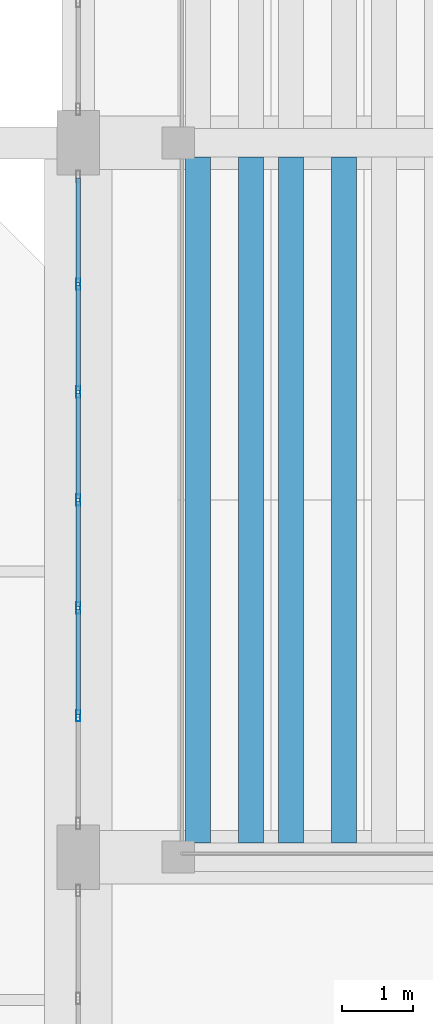
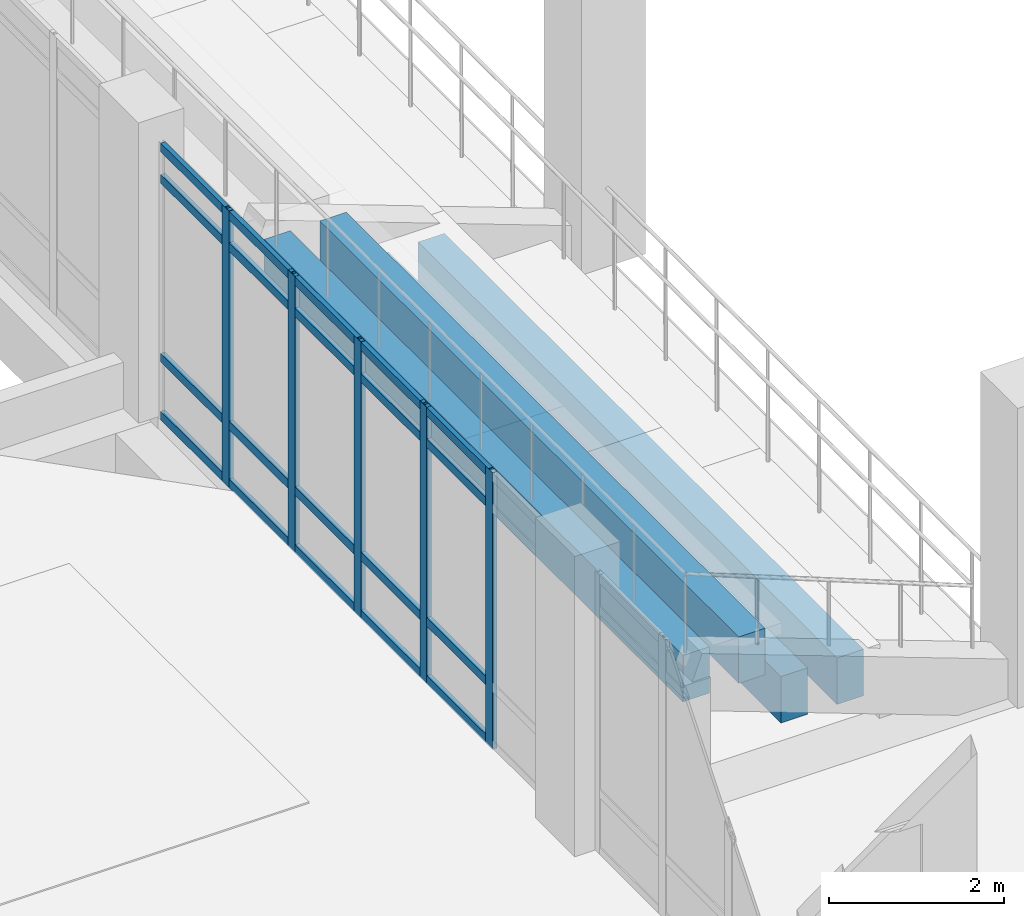
# One storey, part 62 of 161: 25 members, 4 beams, 1 element without a shape of its own.
"""IFC4 building model written with IfcOpenShell, lengths in metres."""

from ifc_helpers import new_model, si_unit, direction, frame, origin, origin_2d, place, context, subcontext, project, spatial, rectangle, hollow_rectangle, extrude, material, layer, layer_set, material_profile, profile_set, type_object, element, aggregate, save


model = new_model("IFC4")

# Units and contexts
model_context = context("Model", 3, precision=1e-05, world=origin(), true_north=direction((0.0, 1.0)))
body_context = subcontext(model_context, "Body", "Model", "MODEL_VIEW")
ifc_project = project(units=[si_unit("LENGTHUNIT", "METRE"), si_unit("AREAUNIT", "SQUARE_METRE"), si_unit("VOLUMEUNIT", "CUBIC_METRE"), si_unit("PLANEANGLEUNIT", "RADIAN"), si_unit("MASSUNIT", "GRAM", prefix="KILO")], contexts=[model_context])

# Site, building, storey
site_placement = place(None, origin())
site = spatial("IfcSite", under=ifc_project, at=site_placement, CompositionType="ELEMENT")
building_placement = place(site_placement, origin())
building = spatial("IfcBuilding", under=site, at=building_placement, Name="Mersad Railyard Sports Hall", CompositionType="ELEMENT")
storey_placement = place(building_placement, frame((0.0, 0.0, 4.800048828125)))
storey = spatial("IfcBuildingStorey", under=building, at=storey_placement, Name="L01", CompositionType="ELEMENT", Elevation=4.800048828125)

# Curtain wall, members
ifc_material_1 = material(Name="Aluminium 6063-T6", Category="aluminium")
ifc_layer = layer(ifc_material_1, 0.159912109375)
ifc_layer_set = layer_set([ifc_layer], Name="Aluminium 6063-T6")
curtain_wall_type = type_object("IfcCurtainWallType", Name="ARC-CW-CW14", PredefinedType="USERDEFINED", material=ifc_layer_set)
curtain_wall_placement = place(storey_placement, origin())
curtain_wall = element("IfcCurtainWall", 1, at=curtain_wall_placement, inside=storey, type_object=curtain_wall_type, Name="Curtain wall CW14-0070", ObjectType="CURTAIN WALL", PredefinedType="USERDEFINED")
ifc_material_profile_1 = material_profile(ifc_material_1, hollow_rectangle(XDim=0.06005859375, YDim=0.159912109375, WallThickness=0.00390625, at=origin_2d()), Name="AL MULLION 60x160x4")
ifc_profile_set_1 = profile_set([ifc_material_profile_1], Name="Aluminium 6063-T6")
member_type_1 = type_object("IfcMemberType", Name="ARC-CW-MUL01", PredefinedType="MULLION", material=ifc_profile_set_1)
member_1_placement = place(storey_placement, frame((131.0, 35.47998046875, -0.02001953125), z_axis=(0.0, 0.0, 1.0), x_axis=(1.0, 0.0, 0.0)))
member_1 = element("IfcMember", 2, at=member_1_placement, type_object=member_type_1, Name="CW14 Mullion 2", PredefinedType="MULLION", context=body_context, shape_type="SweptSolid", body=[
    extrude(hollow_rectangle(XDim=0.06005859375, YDim=0.159912109375, WallThickness=0.00390625, at=origin_2d()), origin(), (0.0, 0.0, 1.0), 3.869873046875),
])
member_2_placement = place(storey_placement, frame((131.0, 36.989990234375, -0.02001953125), z_axis=(0.0, 0.0, 1.0), x_axis=(1.0, 0.0, 0.0)))
member_2 = element("IfcMember", 3, at=member_2_placement, type_object=member_type_1, Name="CW14 Mullion 3", PredefinedType="MULLION", context=body_context, shape_type="SweptSolid", body=[
    extrude(hollow_rectangle(XDim=0.06005859375, YDim=0.159912109375, WallThickness=0.00390625, at=origin_2d()), origin(), (0.0, 0.0, 1.0), 3.869873046875),
])
member_3_placement = place(storey_placement, frame((131.0, 38.5, -0.02001953125), z_axis=(0.0, 0.0, 1.0), x_axis=(1.0, 0.0, 0.0)))
member_3 = element("IfcMember", 4, at=member_3_placement, type_object=member_type_1, Name="CW14 Mullion 4", PredefinedType="MULLION", context=body_context, shape_type="SweptSolid", body=[
    extrude(hollow_rectangle(XDim=0.06005859375, YDim=0.159912109375, WallThickness=0.00390625, at=origin_2d()), origin(), (0.0, 0.0, 1.0), 3.869873046875),
])
member_4_placement = place(storey_placement, frame((131.0, 40.010009765625, -0.02001953125), z_axis=(0.0, 0.0, 1.0), x_axis=(1.0, 0.0, 0.0)))
member_4 = element("IfcMember", 5, at=member_4_placement, type_object=member_type_1, Name="CW14 Mullion 5", PredefinedType="MULLION", context=body_context, shape_type="SweptSolid", body=[
    extrude(hollow_rectangle(XDim=0.06005859375, YDim=0.159912109375, WallThickness=0.00390625, at=origin_2d()), origin(), (0.0, 0.0, 1.0), 3.869873046875),
])
member_5_placement = place(storey_placement, frame((131.0, 41.52001953125, -0.02001953125), z_axis=(0.0, 0.0, 1.0), x_axis=(1.0, 0.0, 0.0)))
member_5 = element("IfcMember", 6, at=member_5_placement, type_object=member_type_1, Name="CW14 Mullion 6", PredefinedType="MULLION", context=body_context, shape_type="SweptSolid", body=[
    extrude(hollow_rectangle(XDim=0.06005859375, YDim=0.159912109375, WallThickness=0.00390625, at=origin_2d()), origin(), (0.0, 0.0, 1.0), 3.869873046875),
])
ifc_material_profile_2 = material_profile(ifc_material_1, hollow_rectangle(XDim=0.06005859375, YDim=0.1201171875, WallThickness=0.00390625, at=origin_2d()), Name="AL TRANSOM 60x120x4")
ifc_profile_set_2 = profile_set([ifc_material_profile_2], Name="Aluminium 6063-T6")
member_type_2 = type_object("IfcMemberType", Name="ARC-CW-TRN01", PredefinedType="USERDEFINED", material=ifc_profile_set_2)
member_6_placement = place(storey_placement, frame((131.0, 35.5, 0.0400390625), z_axis=(0.0, 1.0, 0.0), x_axis=(-1.0, 0.0, 0.0)))
member_6 = element("IfcMember", 7, at=member_6_placement, type_object=member_type_2, Name="CW14 Transom 1-2", ObjectType="TRANSOM", PredefinedType="USERDEFINED", context=body_context, shape_type="SweptSolid", body=[
    extrude(hollow_rectangle(XDim=0.06005859375, YDim=0.1201171875, WallThickness=0.00390625, at=origin_2d()), origin(), (0.0, 0.0, 1.0), 1.469970703125),
])
member_7_placement = place(storey_placement, frame((131.0, 37.010009765625, 0.0400390625), z_axis=(0.0, 1.0, 0.0), x_axis=(-1.0, 0.0, 0.0)))
member_7 = element("IfcMember", 8, at=member_7_placement, type_object=member_type_2, Name="CW14 Transom 1-3", ObjectType="TRANSOM", PredefinedType="USERDEFINED", context=body_context, shape_type="SweptSolid", body=[
    extrude(hollow_rectangle(XDim=0.06005859375, YDim=0.1201171875, WallThickness=0.00390625, at=origin_2d()), origin(), (0.0, 0.0, 1.0), 1.469970703125),
])
member_8_placement = place(storey_placement, frame((131.0, 38.52001953125, 0.0400390625), z_axis=(0.0, 1.0, 0.0), x_axis=(-1.0, 0.0, 0.0)))
member_8 = element("IfcMember", 9, at=member_8_placement, type_object=member_type_2, Name="CW14 Transom 1-4", ObjectType="TRANSOM", PredefinedType="USERDEFINED", context=body_context, shape_type="SweptSolid", body=[
    extrude(hollow_rectangle(XDim=0.06005859375, YDim=0.1201171875, WallThickness=0.00390625, at=origin_2d()), origin(), (0.0, 0.0, 1.0), 1.469970703125),
])
member_9_placement = place(storey_placement, frame((131.0, 40.030029296875, 0.0400390625), z_axis=(0.0, 1.0, 0.0), x_axis=(-1.0, 0.0, 0.0)))
member_9 = element("IfcMember", 10, at=member_9_placement, type_object=member_type_2, Name="CW14 Transom 1-5", ObjectType="TRANSOM", PredefinedType="USERDEFINED", context=body_context, shape_type="SweptSolid", body=[
    extrude(hollow_rectangle(XDim=0.06005859375, YDim=0.1201171875, WallThickness=0.00390625, at=origin_2d()), origin(), (0.0, 0.0, 1.0), 1.469970703125),
])
member_10_placement = place(storey_placement, frame((131.0, 41.5400390625, 0.0400390625), z_axis=(0.0, 1.0, 0.0), x_axis=(-1.0, 0.0, 0.0)))
member_10 = element("IfcMember", 11, at=member_10_placement, type_object=member_type_2, Name="CW14 Transom 1-6", ObjectType="TRANSOM", PredefinedType="USERDEFINED", context=body_context, shape_type="SweptSolid", body=[
    extrude(hollow_rectangle(XDim=0.06005859375, YDim=0.1201171875, WallThickness=0.00390625, at=origin_2d()), origin(), (0.0, 0.0, 1.0), 1.469970703125),
])
member_11_placement = place(storey_placement, frame((131.0, 35.5, 0.849853515625), z_axis=(0.0, 1.0, 0.0), x_axis=(-1.0, 0.0, 0.0)))
member_11 = element("IfcMember", 12, at=member_11_placement, type_object=member_type_2, Name="CW14 Transom 2-2", ObjectType="TRANSOM", PredefinedType="USERDEFINED", context=body_context, shape_type="SweptSolid", body=[
    extrude(hollow_rectangle(XDim=0.06005859375, YDim=0.1201171875, WallThickness=0.00390625, at=origin_2d()), origin(), (0.0, 0.0, 1.0), 1.469970703125),
])
member_12_placement = place(storey_placement, frame((131.0, 37.010009765625, 0.849853515625), z_axis=(0.0, 1.0, 0.0), x_axis=(-1.0, 0.0, 0.0)))
member_12 = element("IfcMember", 13, at=member_12_placement, type_object=member_type_2, Name="CW14 Transom 2-3", ObjectType="TRANSOM", PredefinedType="USERDEFINED", context=body_context, shape_type="SweptSolid", body=[
    extrude(hollow_rectangle(XDim=0.06005859375, YDim=0.1201171875, WallThickness=0.00390625, at=origin_2d()), origin(), (0.0, 0.0, 1.0), 1.469970703125),
])
member_13_placement = place(storey_placement, frame((131.0, 38.52001953125, 0.849853515625), z_axis=(0.0, 1.0, 0.0), x_axis=(-1.0, 0.0, 0.0)))
member_13 = element("IfcMember", 14, at=member_13_placement, type_object=member_type_2, Name="CW14 Transom 2-4", ObjectType="TRANSOM", PredefinedType="USERDEFINED", context=body_context, shape_type="SweptSolid", body=[
    extrude(hollow_rectangle(XDim=0.06005859375, YDim=0.1201171875, WallThickness=0.00390625, at=origin_2d()), origin(), (0.0, 0.0, 1.0), 1.469970703125),
])
member_14_placement = place(storey_placement, frame((131.0, 40.030029296875, 0.849853515625), z_axis=(0.0, 1.0, 0.0), x_axis=(-1.0, 0.0, 0.0)))
member_14 = element("IfcMember", 15, at=member_14_placement, type_object=member_type_2, Name="CW14 Transom 2-5", ObjectType="TRANSOM", PredefinedType="USERDEFINED", context=body_context, shape_type="SweptSolid", body=[
    extrude(hollow_rectangle(XDim=0.06005859375, YDim=0.1201171875, WallThickness=0.00390625, at=origin_2d()), origin(), (0.0, 0.0, 1.0), 1.469970703125),
])
member_15_placement = place(storey_placement, frame((131.0, 41.5400390625, 0.849853515625), z_axis=(0.0, 1.0, 0.0), x_axis=(-1.0, 0.0, 0.0)))
member_15 = element("IfcMember", 16, at=member_15_placement, type_object=member_type_2, Name="CW14 Transom 2-6", ObjectType="TRANSOM", PredefinedType="USERDEFINED", context=body_context, shape_type="SweptSolid", body=[
    extrude(hollow_rectangle(XDim=0.06005859375, YDim=0.1201171875, WallThickness=0.00390625, at=origin_2d()), origin(), (0.0, 0.0, 1.0), 1.469970703125),
])
member_16_placement = place(storey_placement, frame((131.0, 35.5, 3.349853515625), z_axis=(0.0, 1.0, 0.0), x_axis=(-1.0, 0.0, 0.0)))
member_16 = element("IfcMember", 17, at=member_16_placement, type_object=member_type_2, Name="CW14 Transom 3-2", ObjectType="TRANSOM", PredefinedType="USERDEFINED", context=body_context, shape_type="SweptSolid", body=[
    extrude(hollow_rectangle(XDim=0.06005859375, YDim=0.1201171875, WallThickness=0.00390625, at=origin_2d()), origin(), (0.0, 0.0, 1.0), 1.469970703125),
])
member_17_placement = place(storey_placement, frame((131.0, 37.010009765625, 3.349853515625), z_axis=(0.0, 1.0, 0.0), x_axis=(-1.0, 0.0, 0.0)))
member_17 = element("IfcMember", 18, at=member_17_placement, type_object=member_type_2, Name="CW14 Transom 3-3", ObjectType="TRANSOM", PredefinedType="USERDEFINED", context=body_context, shape_type="SweptSolid", body=[
    extrude(hollow_rectangle(XDim=0.06005859375, YDim=0.1201171875, WallThickness=0.00390625, at=origin_2d()), origin(), (0.0, 0.0, 1.0), 1.469970703125),
])
member_18_placement = place(storey_placement, frame((131.0, 38.52001953125, 3.349853515625), z_axis=(0.0, 1.0, 0.0), x_axis=(-1.0, 0.0, 0.0)))
member_18 = element("IfcMember", 19, at=member_18_placement, type_object=member_type_2, Name="CW14 Transom 3-4", ObjectType="TRANSOM", PredefinedType="USERDEFINED", context=body_context, shape_type="SweptSolid", body=[
    extrude(hollow_rectangle(XDim=0.06005859375, YDim=0.1201171875, WallThickness=0.00390625, at=origin_2d()), origin(), (0.0, 0.0, 1.0), 1.469970703125),
])
member_19_placement = place(storey_placement, frame((131.0, 40.030029296875, 3.349853515625), z_axis=(0.0, 1.0, 0.0), x_axis=(-1.0, 0.0, 0.0)))
member_19 = element("IfcMember", 20, at=member_19_placement, type_object=member_type_2, Name="CW14 Transom 3-5", ObjectType="TRANSOM", PredefinedType="USERDEFINED", context=body_context, shape_type="SweptSolid", body=[
    extrude(hollow_rectangle(XDim=0.06005859375, YDim=0.1201171875, WallThickness=0.00390625, at=origin_2d()), origin(), (0.0, 0.0, 1.0), 1.469970703125),
])
member_20_placement = place(storey_placement, frame((131.0, 41.5400390625, 3.349853515625), z_axis=(0.0, 1.0, 0.0), x_axis=(-1.0, 0.0, 0.0)))
member_20 = element("IfcMember", 21, at=member_20_placement, type_object=member_type_2, Name="CW14 Transom 3-6", ObjectType="TRANSOM", PredefinedType="USERDEFINED", context=body_context, shape_type="SweptSolid", body=[
    extrude(hollow_rectangle(XDim=0.06005859375, YDim=0.1201171875, WallThickness=0.00390625, at=origin_2d()), origin(), (0.0, 0.0, 1.0), 1.469970703125),
])
member_21_placement = place(storey_placement, frame((131.0, 35.5, 3.7900390625), z_axis=(0.0, 1.0, 0.0), x_axis=(-1.0, 0.0, 0.0)))
member_21 = element("IfcMember", 22, at=member_21_placement, type_object=member_type_2, Name="CW14 Transom 4-2", ObjectType="TRANSOM", PredefinedType="USERDEFINED", context=body_context, shape_type="SweptSolid", body=[
    extrude(hollow_rectangle(XDim=0.06005859375, YDim=0.1201171875, WallThickness=0.00390625, at=origin_2d()), origin(), (0.0, 0.0, 1.0), 1.469970703125),
])
member_22_placement = place(storey_placement, frame((131.0, 37.010009765625, 3.7900390625), z_axis=(0.0, 1.0, 0.0), x_axis=(-1.0, 0.0, 0.0)))
member_22 = element("IfcMember", 23, at=member_22_placement, type_object=member_type_2, Name="CW14 Transom 4-3", ObjectType="TRANSOM", PredefinedType="USERDEFINED", context=body_context, shape_type="SweptSolid", body=[
    extrude(hollow_rectangle(XDim=0.06005859375, YDim=0.1201171875, WallThickness=0.00390625, at=origin_2d()), origin(), (0.0, 0.0, 1.0), 1.469970703125),
])
member_23_placement = place(storey_placement, frame((131.0, 38.52001953125, 3.7900390625), z_axis=(0.0, 1.0, 0.0), x_axis=(-1.0, 0.0, 0.0)))
member_23 = element("IfcMember", 24, at=member_23_placement, type_object=member_type_2, Name="CW14 Transom 4-4", ObjectType="TRANSOM", PredefinedType="USERDEFINED", context=body_context, shape_type="SweptSolid", body=[
    extrude(hollow_rectangle(XDim=0.06005859375, YDim=0.1201171875, WallThickness=0.00390625, at=origin_2d()), origin(), (0.0, 0.0, 1.0), 1.469970703125),
])
member_24_placement = place(storey_placement, frame((131.0, 40.030029296875, 3.7900390625), z_axis=(0.0, 1.0, 0.0), x_axis=(-1.0, 0.0, 0.0)))
member_24 = element("IfcMember", 25, at=member_24_placement, type_object=member_type_2, Name="CW14 Transom 4-5", ObjectType="TRANSOM", PredefinedType="USERDEFINED", context=body_context, shape_type="SweptSolid", body=[
    extrude(hollow_rectangle(XDim=0.06005859375, YDim=0.1201171875, WallThickness=0.00390625, at=origin_2d()), origin(), (0.0, 0.0, 1.0), 1.469970703125),
])
member_25_placement = place(storey_placement, frame((131.0, 41.5400390625, 3.7900390625), z_axis=(0.0, 1.0, 0.0), x_axis=(-1.0, 0.0, 0.0)))
member_25 = element("IfcMember", 26, at=member_25_placement, type_object=member_type_2, Name="CW14 Transom 4-6", ObjectType="TRANSOM", PredefinedType="USERDEFINED", context=body_context, shape_type="SweptSolid", body=[
    extrude(hollow_rectangle(XDim=0.06005859375, YDim=0.1201171875, WallThickness=0.00390625, at=origin_2d()), origin(), (0.0, 0.0, 1.0), 1.469970703125),
])
aggregate(curtain_wall, [member_1, member_2, member_3, member_4, member_5, member_6, member_7, member_8, member_9, member_10, member_11, member_12, member_13, member_14, member_15, member_16, member_17, member_18, member_19, member_20, member_21, member_22, member_23, member_24, member_25])

# Beams
ifc_material_2 = material(Name="Concrete C40/50", Category="concrete")
ifc_material_profile_3 = material_profile(ifc_material_2, rectangle(XDim=0.35009765625, YDim=0.64990234375, at=origin_2d()), Name="RC 350x650")
ifc_profile_set_3 = profile_set([ifc_material_profile_3], Name="Concrete C40/50")
beam_type = type_object("IfcBeamType", Name="STR-BM-J01", PredefinedType="JOIST", material=ifc_profile_set_3)
for number, where, z_axis, x_axis, name in (
    (27, (133.97998046875, 33.699951171875, 0.71484375), (0.0, 1.0, 0.0), (-1.0, 0.0, 0.0), "Beam J01-0869"),
    (28, (134.719970703125, 33.699951171875, 0.71484375), (0.0, 1.0, 0.0), (-1.0, 0.0, 0.0), "Beam J01-0871"),
    (29, (132.679931640625, 33.699951171875, 1.46484375), (0.0, 1.0, 0.0), (-1.0, 0.0, 0.0), "Beam J01-0873"),
    (30, (133.419921875, 33.699951171875, 1.46484375), (0.0, 1.0, 0.0), (-1.0, 0.0, 0.0), "Beam J01-0875"),
):
    element("IfcBeam", number, at=place(storey_placement, frame(where, z_axis=z_axis, x_axis=x_axis)), inside=storey, type_object=beam_type, Name=name, PredefinedType="JOIST", context=body_context, shape_type="SweptSolid", body=[
        extrude(rectangle(XDim=0.35009765625, YDim=0.64990234375, at=origin_2d()), origin(), (0.0, 0.0, 1.0), 9.60009765625),
    ])

save(model, "model.ifc")
